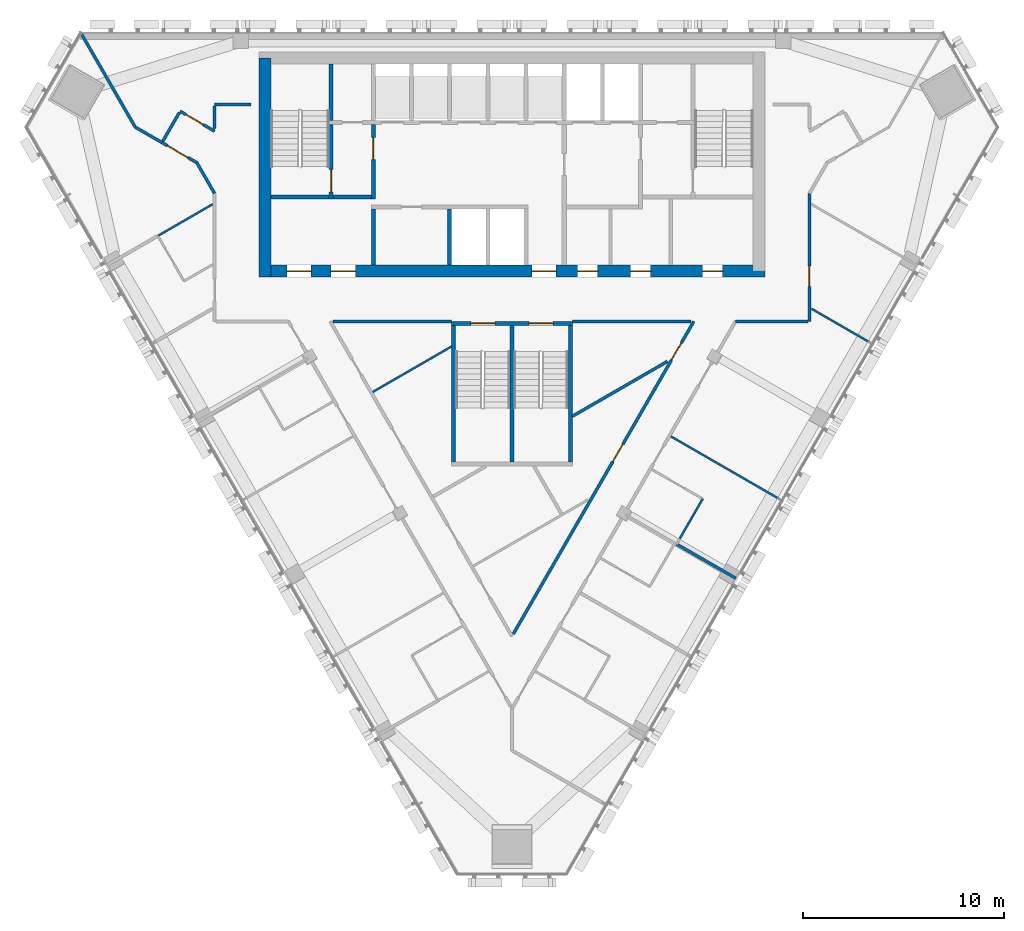
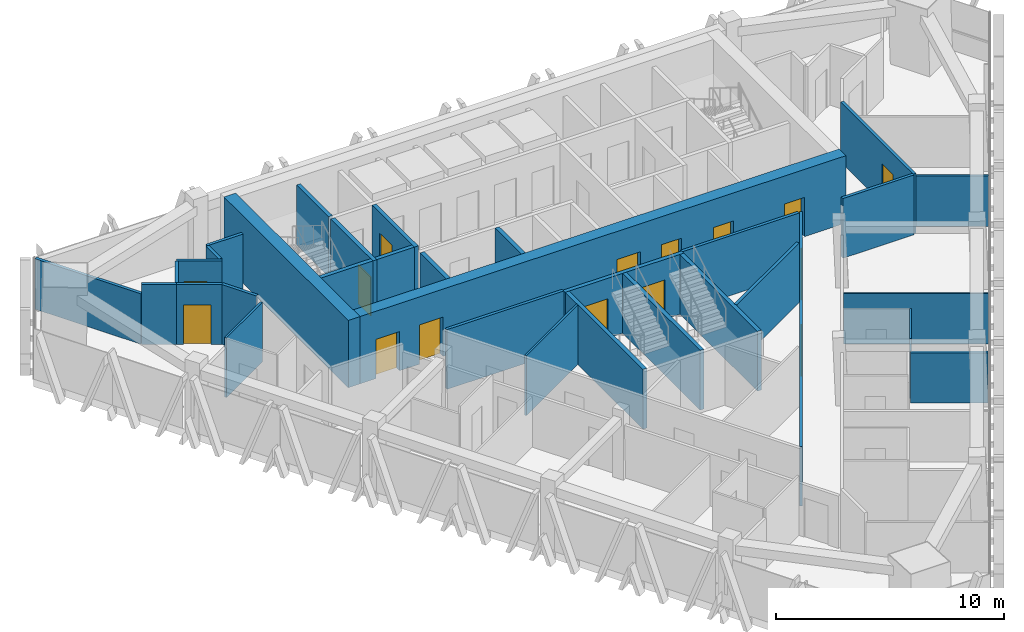
# One storey, part 9 of 14: 33 walls, 15 doors, 15 openings.
"""IFC4 building model written with IfcOpenShell, lengths in metres."""

from ifc_helpers import new_model, si_unit, direction, frame, frame_2d, origin, place, context, subcontext, project, spatial, rectangle, extrude, material, layer, layer_set, type_object, element, fill, save


model = new_model("IFC4")

# Units and contexts
model_context = context("Model", 3, precision=1e-05, world=origin(), true_north=direction((0.0, 1.0)))
body_context = subcontext(model_context, "Body", "Model", "MODEL_VIEW")
ifc_project = project(units=[si_unit("LENGTHUNIT", "METRE"), si_unit("AREAUNIT", "SQUARE_METRE"), si_unit("VOLUMEUNIT", "CUBIC_METRE"), si_unit("PLANEANGLEUNIT", "RADIAN"), si_unit("MASSUNIT", "GRAM", prefix="KILO")], contexts=[model_context])

# Site, building, storey
site_placement = place(None, origin())
site = spatial("IfcSite", under=ifc_project, at=site_placement, CompositionType="ELEMENT")
building_placement = place(site_placement, origin())
building = spatial("IfcBuilding", under=site, at=building_placement, Name="Altiplano Prism Tower", CompositionType="ELEMENT")
storey_placement = place(building_placement, frame((0.0, 0.0, 239.199951171875)))
storey = spatial("IfcBuildingStorey", under=building, at=storey_placement, Name="L61", CompositionType="ELEMENT", Elevation=239.199951171875)

# Wall, openings, doors
ifc_material_1 = material(Name="Concrete C60/75", Category="concrete")
ifc_layer_1 = layer(ifc_material_1, 0.60009765625)
ifc_layer_set_1 = layer_set([ifc_layer_1], Name="Concrete C60/75")
wall_type_1 = type_object("IfcWallType", Name="Core wall 600", PredefinedType="SHEAR", material=ifc_layer_set_1)
wall_1_placement = place(storey_placement, frame((72.699951171875, 93.10009765625, 0.0), z_axis=(0.0, 0.0, 1.0), x_axis=(1.0, 0.0, 0.0)))
wall_1 = element("IfcWall", 1, at=wall_1_placement, inside=storey, type_object=wall_type_1, Name="Core wall S L61", PredefinedType="SHEAR", context=body_context, shape_type="SweptSolid", body=[
    extrude(rectangle(XDim=24.900146484375, YDim=0.60009765625, at=frame_2d((12.4501953125, 0.0))), origin(), (0.0, 0.0, 1.0), 3.60009765625),
])
opening_1_placement = place(wall_1_placement, frame((1.10009765625, 0.0, 0.0)))
opening_1 = element("IfcOpeningElement", 2, at=opening_1_placement, cuts=wall_1, Name="Opening D3433", PredefinedType="OPENING", context=body_context, shape_type="SweptSolid", body=[
    extrude(rectangle(XDim=1.199951171875, YDim=2.10009765625, at=frame_2d((0.60009765625, 1.050048828125))), frame((0.0, 0.310546875, 0.0), z_axis=(0.0, -1.0, 0.0), x_axis=(1.0, 0.0, 0.0)), (0.0, 0.0, 1.0), 0.62109375),
])
opening_2_placement = place(wall_1_placement, frame((3.300048828125, 0.0, 0.0)))
opening_2 = element("IfcOpeningElement", 3, at=opening_2_placement, cuts=wall_1, Name="Opening D3434", PredefinedType="OPENING", context=body_context, shape_type="SweptSolid", body=[
    extrude(rectangle(XDim=1.199951171875, YDim=2.10009765625, at=frame_2d((0.60009765625, 1.050048828125))), frame((0.0, 0.310546875, 0.0), z_axis=(0.0, -1.0, 0.0), x_axis=(1.0, 0.0, 0.0)), (0.0, 0.0, 1.0), 0.62109375),
])
opening_3_placement = place(wall_1_placement, frame((13.300048828125, 0.0, 0.0)))
opening_3 = element("IfcOpeningElement", 4, at=opening_3_placement, cuts=wall_1, Name="Opening D3435", PredefinedType="OPENING", context=body_context, shape_type="SweptSolid", body=[
    extrude(rectangle(XDim=1.199951171875, YDim=2.10009765625, at=frame_2d((0.60009765625, 1.050048828125))), frame((0.0, 0.310546875, 0.0), z_axis=(0.0, -1.0, 0.0), x_axis=(1.0, 0.0, 0.0)), (0.0, 0.0, 1.0), 0.62109375),
])
opening_4_placement = place(wall_1_placement, frame((15.5625, 0.0, 0.0)))
opening_4 = element("IfcOpeningElement", 5, at=opening_4_placement, cuts=wall_1, Name="Opening D3438", PredefinedType="OPENING", context=body_context, shape_type="SweptSolid", body=[
    extrude(rectangle(XDim=1.0, YDim=2.10009765625, at=frame_2d((0.5, 1.050048828125))), frame((0.0, 0.310546875, 0.0), z_axis=(0.0, -1.0, 0.0), x_axis=(1.0, 0.0, 0.0)), (0.0, 0.0, 1.0), 0.62109375),
])
opening_5_placement = place(wall_1_placement, frame((18.199951171875, 0.0, 0.0)))
opening_5 = element("IfcOpeningElement", 6, at=opening_5_placement, cuts=wall_1, Name="Opening D3439", PredefinedType="OPENING", context=body_context, shape_type="SweptSolid", body=[
    extrude(rectangle(XDim=1.0, YDim=2.10009765625, at=frame_2d((0.5, 1.050048828125))), frame((0.0, 0.310546875, 0.0), z_axis=(0.0, -1.0, 0.0), x_axis=(1.0, 0.0, 0.0)), (0.0, 0.0, 1.0), 0.62109375),
])
opening_6_placement = place(wall_1_placement, frame((21.78759765625, 0.0, 0.0)))
opening_6 = element("IfcOpeningElement", 7, at=opening_6_placement, cuts=wall_1, Name="Opening D3440", PredefinedType="OPENING", context=body_context, shape_type="SweptSolid", body=[
    extrude(rectangle(XDim=1.0, YDim=2.10009765625, at=frame_2d((0.5, 1.050048828125))), frame((0.0, 0.310546875, 0.0), z_axis=(0.0, -1.0, 0.0), x_axis=(1.0, 0.0, 0.0)), (0.0, 0.0, 1.0), 0.62109375),
])
ifc_material_2 = material(Name="Fire-rated steel door", Category="steel")
door_type_1 = type_object("IfcDoorType", Name="Core room door 1000 x 2100", OperationType="NOTDEFINED", PredefinedType="NOTDEFINED", material=ifc_material_2)
door_1_placement = place(opening_4_placement, origin())
door_1 = element("IfcDoor", 8, at=door_1_placement, inside=storey, type_object=door_type_1, Name="Core room door D3438", OperationType="SINGLE_SWING_RIGHT", OverallHeight=2.10009765625, OverallWidth=1.0, PredefinedType="NOTDEFINED", context=body_context, shape_type="SweptSolid", body=[
    extrude(rectangle(XDim=1.0, YDim=2.10009765625, at=frame_2d((0.5, 1.050048828125))), frame((0.0, 0.02490234375, 0.0), z_axis=(0.0, -1.0, 0.0), x_axis=(1.0, 0.0, 0.0)), (0.0, 0.0, 1.0), 0.050048828125),
])
fill(opening_4, door_1)
door_2_placement = place(opening_5_placement, origin())
door_2 = element("IfcDoor", 9, at=door_2_placement, inside=storey, type_object=door_type_1, Name="Core room door D3439", OperationType="SINGLE_SWING_LEFT", OverallHeight=2.10009765625, OverallWidth=1.0, PredefinedType="NOTDEFINED", context=body_context, shape_type="SweptSolid", body=[
    extrude(rectangle(XDim=1.0, YDim=2.10009765625, at=frame_2d((0.5, 1.050048828125))), frame((0.0, 0.02490234375, 0.0), z_axis=(0.0, -1.0, 0.0), x_axis=(1.0, 0.0, 0.0)), (0.0, 0.0, 1.0), 0.050048828125),
])
fill(opening_5, door_2)
door_3_placement = place(opening_6_placement, origin())
door_3 = element("IfcDoor", 10, at=door_3_placement, inside=storey, type_object=door_type_1, Name="Core room door D3440", OperationType="SINGLE_SWING_RIGHT", OverallHeight=2.10009765625, OverallWidth=1.0, PredefinedType="NOTDEFINED", context=body_context, shape_type="SweptSolid", body=[
    extrude(rectangle(XDim=1.0, YDim=2.10009765625, at=frame_2d((0.5, 1.050048828125))), frame((0.0, 0.02490234375, 0.0), z_axis=(0.0, -1.0, 0.0), x_axis=(1.0, 0.0, 0.0)), (0.0, 0.0, 1.0), 0.050048828125),
])
fill(opening_6, door_3)
door_type_2 = type_object("IfcDoorType", Name="Lobby fire door 1200 x 2100", OperationType="NOTDEFINED", PredefinedType="NOTDEFINED", material=ifc_material_2)
door_4_placement = place(opening_1_placement, origin())
door_4 = element("IfcDoor", 11, at=door_4_placement, inside=storey, type_object=door_type_2, Name="Lobby fire door D3433", OperationType="SINGLE_SWING_RIGHT", OverallHeight=2.10009765625, OverallWidth=1.199951171875, PredefinedType="NOTDEFINED", context=body_context, shape_type="SweptSolid", body=[
    extrude(rectangle(XDim=1.199951171875, YDim=2.10009765625, at=frame_2d((0.60009765625, 1.050048828125))), frame((0.0, 0.02490234375, 0.0), z_axis=(0.0, -1.0, 0.0), x_axis=(1.0, 0.0, 0.0)), (0.0, 0.0, 1.0), 0.050048828125),
])
fill(opening_1, door_4)
door_5_placement = place(opening_2_placement, origin())
door_5 = element("IfcDoor", 12, at=door_5_placement, inside=storey, type_object=door_type_2, Name="Lobby fire door D3434", OperationType="SINGLE_SWING_LEFT", OverallHeight=2.10009765625, OverallWidth=1.199951171875, PredefinedType="NOTDEFINED", context=body_context, shape_type="SweptSolid", body=[
    extrude(rectangle(XDim=1.199951171875, YDim=2.10009765625, at=frame_2d((0.60009765625, 1.050048828125))), frame((0.0, 0.02490234375, 0.0), z_axis=(0.0, -1.0, 0.0), x_axis=(1.0, 0.0, 0.0)), (0.0, 0.0, 1.0), 0.050048828125),
])
fill(opening_2, door_5)
door_6_placement = place(opening_3_placement, origin())
door_6 = element("IfcDoor", 13, at=door_6_placement, inside=storey, type_object=door_type_2, Name="Lobby fire door D3435", OperationType="SINGLE_SWING_RIGHT", OverallHeight=2.10009765625, OverallWidth=1.199951171875, PredefinedType="NOTDEFINED", context=body_context, shape_type="SweptSolid", body=[
    extrude(rectangle(XDim=1.199951171875, YDim=2.10009765625, at=frame_2d((0.60009765625, 1.050048828125))), frame((0.0, 0.02490234375, 0.0), z_axis=(0.0, -1.0, 0.0), x_axis=(1.0, 0.0, 0.0)), (0.0, 0.0, 1.0), 0.050048828125),
])
fill(opening_3, door_6)

# Walls
wall_2_placement = place(storey_placement, frame((72.699951171875, 103.699951171875, 0.0), z_axis=(0.0, 0.0, 1.0), x_axis=(0.0, -1.0, 0.0)))
element("IfcWall", 14, at=wall_2_placement, inside=storey, type_object=wall_type_1, Name="Core wall W L61", PredefinedType="SHEAR", context=body_context, shape_type="SweptSolid", body=[
    extrude(rectangle(XDim=10.89990234375, YDim=0.60009765625, at=frame_2d((5.449951171875, 0.0))), origin(), (0.0, 0.0, 1.0), 3.60009765625),
])
ifc_material_3 = material(Name="Plasterboard on steel stud", Category="steel")
ifc_layer_2 = layer(ifc_material_3, 0.10009765625)
ifc_layer_set_2 = layer_set([ifc_layer_2], Name="Plasterboard on steel stud")
wall_type_2 = type_object("IfcWallType", Name="Partition 100 unit", PredefinedType="PARTITIONING", material=ifc_layer_set_2)
wall_3_placement = place(storey_placement, frame((94.490478515625, 81.77099609375, 0.0), z_axis=(0.0, 0.0, 1.0), x_axis=(-0.499998129301, -0.86602648383, 0.0)))
element("IfcWall", 15, at=wall_3_placement, inside=storey, type_object=wall_type_2, Name="Partition P02 L61 056", PredefinedType="PARTITIONING", context=body_context, shape_type="SweptSolid", body=[
    extrude(rectangle(XDim=2.2998046875, YDim=0.10009765625, at=frame_2d((1.14990234375, 0.0))), origin(), (0.0, 0.0, 1.0), 3.199951171875),
])
ifc_layer_3 = layer(ifc_material_3, 0.10009765625)
ifc_layer_set_3 = layer_set([ifc_layer_3], Name="Plasterboard on steel stud")
wall_type_3 = type_object("IfcWallType", Name="Partition 100 wet", PredefinedType="PARTITIONING", material=ifc_layer_set_3)
wall_4_placement = place(storey_placement, frame((78.068603515625, 87.088623046875, 0.0), z_axis=(0.0, 0.0, 1.0), x_axis=(0.866027066162, 0.499997120667, 0.0)))
element("IfcWall", 16, at=wall_4_placement, inside=storey, type_object=wall_type_3, Name="Partition P03 L61 023", PredefinedType="PARTITIONING", context=body_context, shape_type="SweptSolid", body=[
    extrude(rectangle(XDim=4.53955078125, YDim=0.10009765625, at=frame_2d((2.269775390625, 0.0))), origin(), (0.0, 0.0, 1.0), 3.199951171875),
])
wall_5_placement = place(storey_placement, frame((67.37646484375, 94.85791015625, 0.0), z_axis=(0.0, 0.0, 1.0), x_axis=(0.866056314953, 0.499946456463, 0.0)))
element("IfcWall", 17, at=wall_5_placement, inside=storey, type_object=wall_type_3, Name="Partition P03 L61 028", PredefinedType="PARTITIONING", context=body_context, shape_type="SweptSolid", body=[
    extrude(rectangle(XDim=3.144775390625, YDim=0.10009765625, at=frame_2d((1.572265625, 0.0))), origin(), (0.0, 0.0, 1.0), 3.199951171875),
])
wall_6_placement = place(storey_placement, frame((98.402587890625, 81.706298828125, 0.0), z_axis=(0.0, 0.0, 1.0), x_axis=(-0.866025401434, 0.500000004071, 0.0)))
element("IfcWall", 18, at=wall_6_placement, inside=storey, type_object=wall_type_3, Name="Partition P03 L61 058", PredefinedType="PARTITIONING", context=body_context, shape_type="SweptSolid", body=[
    extrude(rectangle(XDim=6.34521484375, YDim=0.10009765625, at=frame_2d((3.172607421875, 0.0))), origin(), (0.0, 0.0, 1.0), 2.699951171875),
])
wall_7_placement = place(storey_placement, frame((102.902587890625, 89.500732421875, 0.0), z_axis=(0.0, 0.0, 1.0), x_axis=(-0.866050739643, 0.499956114438, 0.0)))
element("IfcWall", 19, at=wall_7_placement, inside=storey, type_object=wall_type_3, Name="Partition P03 L61 059", PredefinedType="PARTITIONING", context=body_context, shape_type="SweptSolid", body=[
    extrude(rectangle(XDim=3.467041015625, YDim=0.10009765625, at=frame_2d((1.7333984375, 0.0))), origin(), (0.0, 0.0, 1.0), 2.699951171875),
])
ifc_layer_4 = layer(ifc_material_3, 0.14990234375)
ifc_layer_set_4 = layer_set([ifc_layer_4], Name="Plasterboard on steel stud")
wall_type_4 = type_object("IfcWallType", Name="Partition 150 corridor", PredefinedType="PARTITIONING", material=ifc_layer_set_4)
wall_8_placement = place(storey_placement, frame((76.084716796875, 90.60009765625, 0.0), z_axis=(0.0, 0.0, 1.0), x_axis=(0.999999986372, -0.000165091417, 0.0)))
element("IfcWall", 20, at=wall_8_placement, inside=storey, type_object=wall_type_4, Name="Partition P06 L61 001", PredefinedType="PARTITIONING", context=body_context, shape_type="SweptSolid", body=[
    extrude(rectangle(XDim=5.915283203125, YDim=0.14990234375, at=frame_2d((2.95751953125, 0.0))), origin(), (0.0, 0.0, 1.0), 3.199951171875),
])

# Wall, openings, doors
wall_9_placement = place(storey_placement, frame((94.04541015625, 90.60009765625, 0.0), z_axis=(0.0, 0.0, 1.0), x_axis=(-0.500004455092, -0.866022831621, 0.0)))
wall_9 = element("IfcWall", 21, at=wall_9_placement, inside=storey, type_object=wall_type_4, Name="Partition P06 L61 002", PredefinedType="PARTITIONING", context=body_context, shape_type="SweptSolid", body=[
    extrude(rectangle(XDim=17.960693359375, YDim=0.14990234375, at=frame_2d((8.98046875, 0.0))), origin(), (0.0, 0.0, 1.0), 3.199951171875),
])
opening_7_placement = place(wall_9_placement, frame((7.048095703125, 0.0, 0.0)))
opening_7 = element("IfcOpeningElement", 22, at=opening_7_placement, cuts=wall_9, Name="Opening D1993", PredefinedType="OPENING", context=body_context, shape_type="SweptSolid", body=[
    extrude(rectangle(XDim=1.0, YDim=2.10009765625, at=frame_2d((0.5, 1.050048828125))), frame((0.0, 0.08544921875, 0.0), z_axis=(0.0, -1.0, 0.0), x_axis=(1.0, 0.0, 0.0)), (0.0, 0.0, 1.0), 0.1708984375),
])
opening_8_placement = place(wall_9_placement, frame((1.22705078125, 0.0, 0.0)))
opening_8 = element("IfcOpeningElement", 23, at=opening_8_placement, cuts=wall_9, Name="Opening D1994", PredefinedType="OPENING", context=body_context, shape_type="SweptSolid", body=[
    extrude(rectangle(XDim=1.0, YDim=2.10009765625, at=frame_2d((0.5, 1.050048828125))), frame((0.0, 0.08544921875, 0.0), z_axis=(0.0, -1.0, 0.0), x_axis=(1.0, 0.0, 0.0)), (0.0, 0.0, 1.0), 0.1708984375),
])
ifc_material_4 = material(Name="Timber", Category="wood")
door_type_3 = type_object("IfcDoorType", Name="Room door 1000 x 2100", OperationType="NOTDEFINED", PredefinedType="NOTDEFINED", material=ifc_material_4)
door_7_placement = place(opening_8_placement, origin())
door_7 = element("IfcDoor", 24, at=door_7_placement, inside=storey, type_object=door_type_3, Name="Door D1994", OperationType="SINGLE_SWING_RIGHT", OverallHeight=2.10009765625, OverallWidth=1.0, PredefinedType="NOTDEFINED", context=body_context, shape_type="SweptSolid", body=[
    extrude(rectangle(XDim=1.0, YDim=2.10009765625, at=frame_2d((0.5, 1.050048828125))), frame((0.0, 0.02490234375, 0.0), z_axis=(0.0, -1.0, 0.0), x_axis=(1.0, 0.0, 0.0)), (0.0, 0.0, 1.0), 0.050048828125),
])
fill(opening_8, door_7)
door_type_4 = type_object("IfcDoorType", Name="Store door 1000 x 2100", OperationType="NOTDEFINED", PredefinedType="NOTDEFINED", material=ifc_material_4)
door_8_placement = place(opening_7_placement, origin())
door_8 = element("IfcDoor", 25, at=door_8_placement, inside=storey, type_object=door_type_4, Name="Door D1993", OperationType="SINGLE_SWING_LEFT", OverallHeight=2.10009765625, OverallWidth=1.0, PredefinedType="NOTDEFINED", context=body_context, shape_type="SweptSolid", body=[
    extrude(rectangle(XDim=1.0, YDim=2.10009765625, at=frame_2d((0.5, 1.050048828125))), frame((0.0, 0.02490234375, 0.0), z_axis=(0.0, -1.0, 0.0), x_axis=(1.0, 0.0, 0.0)), (0.0, 0.0, 1.0), 0.050048828125),
])
fill(opening_7, door_8)

# Wall
wall_10_placement = place(storey_placement, frame((88.0, 90.59912109375, 0.0), z_axis=(0.0, 0.0, 1.0), x_axis=(0.999999986372, 0.000165091417, 0.0)))
element("IfcWall", 26, at=wall_10_placement, inside=storey, type_object=wall_type_4, Name="Partition P06 L61 004", PredefinedType="PARTITIONING", context=body_context, shape_type="SweptSolid", body=[
    extrude(rectangle(XDim=5.915283203125, YDim=0.14990234375, at=frame_2d((2.95751953125, 0.0))), origin(), (0.0, 0.0, 1.0), 3.199951171875),
])

# Wall, opening, door
wall_11_placement = place(storey_placement, frame((67.565673828125, 99.510009765625, 0.0), z_axis=(0.0, 0.0, 1.0), x_axis=(0.866040685659, -0.499973530083, 0.0)))
wall_11 = element("IfcWall", 27, at=wall_11_placement, inside=storey, type_object=wall_type_4, Name="Partition P06 L61 005", PredefinedType="PARTITIONING", context=body_context, shape_type="SweptSolid", body=[
    extrude(rectangle(XDim=2.02001953125, YDim=0.14990234375, at=frame_2d((1.010009765625, 0.0))), origin(), (0.0, 0.0, 1.0), 3.199951171875),
])
opening_9_placement = place(wall_11_placement, frame((0.323974609375, 0.0, 0.0)))
opening_9 = element("IfcOpeningElement", 28, at=opening_9_placement, cuts=wall_11, Name="Opening D1995", PredefinedType="OPENING", context=body_context, shape_type="SweptSolid", body=[
    extrude(rectangle(XDim=1.199951171875, YDim=2.10009765625, at=frame_2d((0.60009765625, 1.050048828125))), frame((0.0, 0.08544921875, 0.0), z_axis=(0.0, -1.0, 0.0), x_axis=(1.0, 0.0, 0.0)), (0.0, 0.0, 1.0), 0.1708984375),
])
door_type_5 = type_object("IfcDoorType", Name="Shared room door 1200 x 2100", OperationType="NOTDEFINED", PredefinedType="NOTDEFINED", material=ifc_material_4)
door_9_placement = place(opening_9_placement, origin())
door_9 = element("IfcDoor", 29, at=door_9_placement, inside=storey, type_object=door_type_5, Name="Door D1995", OperationType="SINGLE_SWING_RIGHT", OverallHeight=2.10009765625, OverallWidth=1.199951171875, PredefinedType="NOTDEFINED", context=body_context, shape_type="SweptSolid", body=[
    extrude(rectangle(XDim=1.199951171875, YDim=2.10009765625, at=frame_2d((0.60009765625, 1.050048828125))), frame((0.0, 0.02490234375, 0.0), z_axis=(0.0, -1.0, 0.0), x_axis=(1.0, 0.0, 0.0)), (0.0, 0.0, 1.0), 0.050048828125),
])
fill(opening_9, door_9)

# Walls
wall_12_placement = place(storey_placement, frame((69.315185546875, 98.5, 0.0), z_axis=(0.0, 0.0, 1.0), x_axis=(0.499937404092, -0.866061540533, 0.0)))
element("IfcWall", 30, at=wall_12_placement, inside=storey, type_object=wall_type_4, Name="Partition P06 L61 006", PredefinedType="PARTITIONING", context=body_context, shape_type="SweptSolid", body=[
    extrude(rectangle(XDim=1.769775390625, YDim=0.14990234375, at=frame_2d((0.884765625, 0.0))), origin(), (0.0, 0.0, 1.0), 3.199951171875),
])
wall_13_placement = place(storey_placement, frame((96.123779296875, 90.60009765625, 0.0), z_axis=(0.0, 0.0, 1.0), x_axis=(1.0, 0.0, 0.0)))
element("IfcWall", 31, at=wall_13_placement, inside=storey, type_object=wall_type_4, Name="Partition P06 L61 011", PredefinedType="PARTITIONING", context=body_context, shape_type="SweptSolid", body=[
    extrude(rectangle(XDim=3.601318359375, YDim=0.14990234375, at=frame_2d((1.80078125, 0.0))), origin(), (0.0, 0.0, 1.0), 3.199951171875),
])

# Wall, opening, door
wall_14_placement = place(storey_placement, frame((99.800048828125, 90.60009765625, 0.0), z_axis=(0.0, 0.0, 1.0), x_axis=(0.0, 1.0, 0.0)))
wall_14 = element("IfcWall", 32, at=wall_14_placement, inside=storey, type_object=wall_type_4, Name="Partition P06 L61 012", PredefinedType="PARTITIONING", context=body_context, shape_type="SweptSolid", body=[
    extrude(rectangle(XDim=6.3671875, YDim=0.14990234375, at=frame_2d((3.18359375, 0.0))), origin(), (0.0, 0.0, 1.0), 3.199951171875),
])
opening_10_placement = place(wall_14_placement, frame((1.748046875, 0.0, 0.0)))
opening_10 = element("IfcOpeningElement", 33, at=opening_10_placement, cuts=wall_14, Name="Opening D2013", PredefinedType="OPENING", context=body_context, shape_type="SweptSolid", body=[
    extrude(rectangle(XDim=1.0, YDim=2.10009765625, at=frame_2d((0.5, 1.050048828125))), frame((0.0, 0.08544921875, 0.0), z_axis=(0.0, -1.0, 0.0), x_axis=(1.0, 0.0, 0.0)), (0.0, 0.0, 1.0), 0.1708984375),
])
door_10_placement = place(opening_10_placement, origin())
door_10 = element("IfcDoor", 34, at=door_10_placement, inside=storey, type_object=door_type_3, Name="Door D2013", OperationType="SINGLE_SWING_RIGHT", OverallHeight=2.10009765625, OverallWidth=1.0, PredefinedType="NOTDEFINED", context=body_context, shape_type="SweptSolid", body=[
    extrude(rectangle(XDim=1.0, YDim=2.10009765625, at=frame_2d((0.5, 1.050048828125))), frame((0.0, 0.02490234375, 0.0), z_axis=(0.0, -1.0, 0.0), x_axis=(1.0, 0.0, 0.0)), (0.0, 0.0, 1.0), 0.050048828125),
])
fill(opening_10, door_10)

# Walls
wall_15_placement = place(storey_placement, frame((72.0, 101.39990234375, 0.0), z_axis=(0.0, 0.0, 1.0), x_axis=(-1.0, 0.0, 0.0)))
element("IfcWall", 35, at=wall_15_placement, inside=storey, type_object=wall_type_4, Name="Partition P06 L61 015", PredefinedType="PARTITIONING", context=body_context, shape_type="SweptSolid", body=[
    extrude(rectangle(XDim=1.800048828125, YDim=0.14990234375, at=frame_2d((0.89990234375, 0.0))), origin(), (0.0, 0.0, 1.0), 3.199951171875),
])
wall_16_placement = place(storey_placement, frame((70.199951171875, 101.324951171875, 0.0), z_axis=(0.0, 0.0, 1.0), x_axis=(0.0, -1.0, 0.0)))
element("IfcWall", 36, at=wall_16_placement, inside=storey, type_object=wall_type_4, Name="Partition P06 L61 016", PredefinedType="PARTITIONING", context=body_context, shape_type="SweptSolid", body=[
    extrude(rectangle(XDim=1.12744140625, YDim=0.14990234375, at=frame_2d((0.563720703125, 0.0))), origin(), (0.0, 0.0, 1.0), 3.199951171875),
])

# Wall, opening, door
wall_17_placement = place(storey_placement, frame((70.199951171875, 100.067626953125, 0.0), z_axis=(0.0, 0.0, 1.0), x_axis=(-0.866021515814, 0.500006734102, 0.0)))
wall_17 = element("IfcWall", 37, at=wall_17_placement, inside=storey, type_object=wall_type_4, Name="Partition P06 L61 017", PredefinedType="PARTITIONING", context=body_context, shape_type="SweptSolid", body=[
    extrude(rectangle(XDim=1.982421875, YDim=0.14990234375, at=frame_2d((0.9912109375, 0.0))), origin(), (0.0, 0.0, 1.0), 3.199951171875),
])
opening_11_placement = place(wall_17_placement, frame((0.653076171875, 0.0, 0.0)))
opening_11 = element("IfcOpeningElement", 38, at=opening_11_placement, cuts=wall_17, Name="Opening D2015", PredefinedType="OPENING", context=body_context, shape_type="SweptSolid", body=[
    extrude(rectangle(XDim=1.0, YDim=2.10009765625, at=frame_2d((0.5, 1.050048828125))), frame((0.0, 0.08544921875, 0.0), z_axis=(0.0, -1.0, 0.0), x_axis=(1.0, 0.0, 0.0)), (0.0, 0.0, 1.0), 0.1708984375),
])
door_11_placement = place(opening_11_placement, origin())
door_11 = element("IfcDoor", 39, at=door_11_placement, inside=storey, type_object=door_type_3, Name="Door D2015", OperationType="SINGLE_SWING_LEFT", OverallHeight=2.10009765625, OverallWidth=1.0, PredefinedType="NOTDEFINED", context=body_context, shape_type="SweptSolid", body=[
    extrude(rectangle(XDim=1.0, YDim=2.10009765625, at=frame_2d((0.5, 1.050048828125))), frame((0.0, 0.02490234375, 0.0), z_axis=(0.0, -1.0, 0.0), x_axis=(1.0, 0.0, 0.0)), (0.0, 0.0, 1.0), 0.050048828125),
])
fill(opening_11, door_11)

# Walls
wall_18_placement = place(storey_placement, frame((68.445556640625, 100.993896484375, 0.0), z_axis=(0.0, 0.0, 1.0), x_axis=(-0.499974350878, -0.866040211805, 0.0)))
element("IfcWall", 40, at=wall_18_placement, inside=storey, type_object=wall_type_4, Name="Partition P06 L61 018", PredefinedType="PARTITIONING", context=body_context, shape_type="SweptSolid", body=[
    extrude(rectangle(XDim=1.64990234375, YDim=0.14990234375, at=frame_2d((0.824951171875, 0.0))), origin(), (0.0, 0.0, 1.0), 3.199951171875),
])
ifc_layer_5 = layer(ifc_material_3, 0.14990234375)
ifc_layer_set_5 = layer_set([ifc_layer_5], Name="Plasterboard on steel stud")
wall_type_5 = type_object("IfcWallType", Name="Partition 150 party", PredefinedType="PARTITIONING", material=ifc_layer_set_5)
wall_19_placement = place(storey_placement, frame((92.73486328125, 88.6103515625, 0.0), z_axis=(0.0, 0.0, 1.0), x_axis=(-0.866008603077, -0.500029098549, 0.0)))
element("IfcWall", 41, at=wall_19_placement, inside=storey, type_object=wall_type_5, Name="Partition P01 L61 025", PredefinedType="PARTITIONING", context=body_context, shape_type="SweptSolid", body=[
    extrude(rectangle(XDim=5.467529296875, YDim=0.14990234375, at=frame_2d((2.73388671875, 0.0))), origin(), (0.0, 0.0, 1.0), 3.199951171875),
])
wall_20_placement = place(storey_placement, frame((67.5830078125, 99.5, 0.0), z_axis=(0.0, 0.0, 1.0), x_axis=(-0.866016353143, 0.500015675843, 0.0)))
element("IfcWall", 42, at=wall_20_placement, inside=storey, type_object=wall_type_5, Name="Partition P01 L61 029", PredefinedType="PARTITIONING", context=body_context, shape_type="SweptSolid", body=[
    extrude(rectangle(XDim=1.53759765625, YDim=0.14990234375, at=frame_2d((0.768798828125, 0.0))), origin(), (0.0, 0.0, 1.0), 3.199951171875),
])
wall_21_placement = place(storey_placement, frame((66.25146484375, 100.268798828125, 0.0), z_axis=(0.0, 0.0, 1.0), x_axis=(-0.500008311739, 0.866020604947, 0.0)))
element("IfcWall", 43, at=wall_21_placement, inside=storey, type_object=wall_type_5, Name="Partition P01 L61 030", PredefinedType="PARTITIONING", context=body_context, shape_type="SweptSolid", body=[
    extrude(rectangle(XDim=5.34765625, YDim=0.14990234375, at=frame_2d((2.673828125, 0.0))), origin(), (0.0, 0.0, 1.0), 2.699951171875),
])
wall_22_placement = place(storey_placement, frame((96.135009765625, 77.8193359375, 0.0), z_axis=(0.0, 0.0, 1.0), x_axis=(-0.866038511948, 0.499977295307, 0.0)))
element("IfcWall", 44, at=wall_22_placement, inside=storey, type_object=wall_type_5, Name="Partition P01 L61 053", PredefinedType="PARTITIONING", context=body_context, shape_type="SweptSolid", body=[
    extrude(rectangle(XDim=3.400146484375, YDim=0.14990234375, at=frame_2d((1.7001953125, 0.0))), origin(), (0.0, 0.0, 1.0), 2.699951171875),
])
ifc_layer_6 = layer(ifc_material_1, 0.199951171875)
ifc_layer_set_6 = layer_set([ifc_layer_6], Name="Concrete C60/75")
wall_type_6 = type_object("IfcWallType", Name="Shaft wall 200", PredefinedType="SOLIDWALL", material=ifc_layer_set_6)
wall_23_placement = place(storey_placement, frame((81.89990234375, 93.39990234375, 0.0), z_axis=(0.0, 0.0, 1.0), x_axis=(0.0, 1.0, 0.0)))
element("IfcWall", 45, at=wall_23_placement, inside=storey, type_object=wall_type_6, Name="Shaft wall L61", PredefinedType="SOLIDWALL", context=body_context, shape_type="SweptSolid", body=[
    extrude(rectangle(XDim=2.800048828125, YDim=0.199951171875, at=frame_2d((1.39990234375, 0.0))), origin(), (0.0, 0.0, 1.0), 3.199951171875),
])
ifc_layer_7 = layer(ifc_material_1, 0.199951171875)
ifc_layer_set_7 = layer_set([ifc_layer_7], Name="Concrete C60/75")
wall_type_7 = type_object("IfcWallType", Name="Stair wall 200", PredefinedType="SOLIDWALL", material=ifc_layer_set_7)
wall_24_placement = place(storey_placement, frame((73.0, 96.800048828125, 0.0), z_axis=(0.0, 0.0, 1.0), x_axis=(1.0, 0.0, 0.0)))
element("IfcWall", 46, at=wall_24_placement, inside=storey, type_object=wall_type_7, Name="Stair wall L61", PredefinedType="SOLIDWALL", context=body_context, shape_type="SweptSolid", body=[
    extrude(rectangle(XDim=2.89990234375, YDim=0.199951171875, at=frame_2d((1.449951171875, 0.0))), origin(), (0.0, 0.0, 1.0), 3.199951171875),
])

# Wall, opening, door
wall_25_placement = place(storey_placement, frame((76.0, 96.699951171875, 0.0), z_axis=(0.0, 0.0, 1.0), x_axis=(0.0, 1.0, 0.0)))
wall_25 = element("IfcWall", 47, at=wall_25_placement, inside=storey, type_object=wall_type_7, Name="Stair wall L61", PredefinedType="SOLIDWALL", context=body_context, shape_type="SweptSolid", body=[
    extrude(rectangle(XDim=3.699951171875, YDim=0.199951171875, at=frame_2d((1.85009765625, 0.0))), origin(), (0.0, 0.0, 1.0), 3.199951171875),
])
opening_12_placement = place(wall_25_placement, frame((0.35009765625, 0.0, 0.0)))
opening_12 = element("IfcOpeningElement", 48, at=opening_12_placement, cuts=wall_25, Name="Opening D3428", PredefinedType="OPENING", context=body_context, shape_type="SweptSolid", body=[
    extrude(rectangle(XDim=1.10009765625, YDim=2.10009765625, at=frame_2d((0.550048828125, 1.050048828125))), frame((0.0, 0.1103515625, 0.0), z_axis=(0.0, -1.0, 0.0), x_axis=(1.0, 0.0, 0.0)), (0.0, 0.0, 1.0), 0.220947265625),
])
door_type_6 = type_object("IfcDoorType", Name="Stair fire door 1100 x 2100", OperationType="NOTDEFINED", PredefinedType="NOTDEFINED", material=ifc_material_2)
door_12_placement = place(opening_12_placement, origin())
door_12 = element("IfcDoor", 49, at=door_12_placement, inside=storey, type_object=door_type_6, Name="Stair fire door D3428", OperationType="SINGLE_SWING_RIGHT", OverallHeight=2.10009765625, OverallWidth=1.10009765625, PredefinedType="NOTDEFINED", context=body_context, shape_type="SweptSolid", body=[
    extrude(rectangle(XDim=1.10009765625, YDim=2.10009765625, at=frame_2d((0.550048828125, 1.050048828125))), frame((0.0, 0.02490234375, 0.0), z_axis=(0.0, -1.0, 0.0), x_axis=(1.0, 0.0, 0.0)), (0.0, 0.0, 1.0), 0.050048828125),
])
fill(opening_12, door_12)

# Wall
wall_26_placement = place(storey_placement, frame((76.0, 100.60009765625, 0.0), z_axis=(0.0, 0.0, 1.0), x_axis=(0.0, 1.0, 0.0)))
element("IfcWall", 50, at=wall_26_placement, inside=storey, type_object=wall_type_7, Name="Stair wall L61", PredefinedType="SOLIDWALL", context=body_context, shape_type="SweptSolid", body=[
    extrude(rectangle(XDim=2.7998046875, YDim=0.199951171875, at=frame_2d((1.39990234375, 0.0))), origin(), (0.0, 0.0, 1.0), 3.199951171875),
])

# Wall, openings, doors
wall_27_placement = place(storey_placement, frame((82.0, 90.5, 0.0), z_axis=(0.0, 0.0, 1.0), x_axis=(1.0, 0.0, 0.0)))
wall_27 = element("IfcWall", 51, at=wall_27_placement, inside=storey, type_object=wall_type_7, Name="Stair 3 wall north L61", PredefinedType="SOLIDWALL", context=body_context, shape_type="SweptSolid", body=[
    extrude(rectangle(XDim=6.0, YDim=0.199951171875, at=frame_2d((3.0, 0.0))), origin(), (0.0, 0.0, 1.0), 3.199951171875),
])
opening_13_placement = place(wall_27_placement, frame((0.949951171875, 0.0, 0.0)))
opening_13 = element("IfcOpeningElement", 52, at=opening_13_placement, cuts=wall_27, Name="Opening D4044", PredefinedType="OPENING", context=body_context, shape_type="SweptSolid", body=[
    extrude(rectangle(XDim=1.199951171875, YDim=2.10009765625, at=frame_2d((0.60009765625, 1.050048828125))), frame((0.0, 0.1103515625, 0.0), z_axis=(0.0, -1.0, 0.0), x_axis=(1.0, 0.0, 0.0)), (0.0, 0.0, 1.0), 0.220947265625),
])
opening_14_placement = place(wall_27_placement, frame((3.85009765625, 0.0, 0.0)))
opening_14 = element("IfcOpeningElement", 53, at=opening_14_placement, cuts=wall_27, Name="Opening D4045", PredefinedType="OPENING", context=body_context, shape_type="SweptSolid", body=[
    extrude(rectangle(XDim=1.199951171875, YDim=2.10009765625, at=frame_2d((0.60009765625, 1.050048828125))), frame((0.0, 0.1103515625, 0.0), z_axis=(0.0, -1.0, 0.0), x_axis=(1.0, 0.0, 0.0)), (0.0, 0.0, 1.0), 0.220947265625),
])
door_type_7 = type_object("IfcDoorType", Name="Stair fire door 1200 x 2100", OperationType="NOTDEFINED", PredefinedType="NOTDEFINED", material=ifc_material_2)
door_13_placement = place(opening_13_placement, origin())
door_13 = element("IfcDoor", 54, at=door_13_placement, inside=storey, type_object=door_type_7, Name="Stair fire door D4044", OperationType="SINGLE_SWING_LEFT", OverallHeight=2.10009765625, OverallWidth=1.199951171875, PredefinedType="NOTDEFINED", context=body_context, shape_type="SweptSolid", body=[
    extrude(rectangle(XDim=1.199951171875, YDim=2.10009765625, at=frame_2d((0.60009765625, 1.050048828125))), frame((0.0, 0.02490234375, 0.0), z_axis=(0.0, -1.0, 0.0), x_axis=(1.0, 0.0, 0.0)), (0.0, 0.0, 1.0), 0.050048828125),
])
fill(opening_13, door_13)
door_14_placement = place(opening_14_placement, origin())
door_14 = element("IfcDoor", 55, at=door_14_placement, inside=storey, type_object=door_type_7, Name="Stair fire door D4045", OperationType="SINGLE_SWING_LEFT", OverallHeight=2.10009765625, OverallWidth=1.199951171875, PredefinedType="NOTDEFINED", context=body_context, shape_type="SweptSolid", body=[
    extrude(rectangle(XDim=1.199951171875, YDim=2.10009765625, at=frame_2d((0.60009765625, 1.050048828125))), frame((0.0, 0.02490234375, 0.0), z_axis=(0.0, -1.0, 0.0), x_axis=(1.0, 0.0, 0.0)), (0.0, 0.0, 1.0), 0.050048828125),
])
fill(opening_14, door_14)

# Walls
for number, where, z_axis, x_axis, name in (
    (56, (82.10009765625, 83.60009765625, 0.0), (0.0, 0.0, 1.0), (0.0, 1.0, 0.0), "Stair 3 wall west L61"),
    (57, (87.89990234375, 83.60009765625, 0.0), (0.0, 0.0, 1.0), (0.0, 1.0, 0.0), "Stair 3 wall east L61"),
    (58, (85.0, 83.60009765625, 0.0), (0.0, 0.0, 1.0), (0.0, 1.0, 0.0), "Stair 3 wall divider L61"),
):
    element("IfcWall", number, at=place(storey_placement, frame(where, z_axis=z_axis, x_axis=x_axis)), inside=storey, type_object=wall_type_7, Name=name, PredefinedType="SOLIDWALL", context=body_context, shape_type="SweptSolid", body=[
        extrude(rectangle(XDim=6.7998046875, YDim=0.199951171875, at=frame_2d((3.39990234375, 0.0))), origin(), (0.0, 0.0, 1.0), 3.199951171875),
    ])
ifc_layer_8 = layer(ifc_material_1, 0.199951171875)
ifc_layer_set_8 = layer_set([ifc_layer_8], Name="Concrete C60/75")
wall_type_8 = type_object("IfcWallType", Name="Vestibule wall 200", PredefinedType="PARTITIONING", material=ifc_layer_set_8)
wall_28_placement = place(storey_placement, frame((78.10009765625, 93.39990234375, 0.0), z_axis=(0.0, 0.0, 1.0), x_axis=(0.0, 1.0, 0.0)))
element("IfcWall", 59, at=wall_28_placement, inside=storey, type_object=wall_type_8, Name="Vestibule wall L61", PredefinedType="PARTITIONING", context=body_context, shape_type="SweptSolid", body=[
    extrude(rectangle(XDim=2.800048828125, YDim=0.199951171875, at=frame_2d((1.39990234375, 0.0))), origin(), (0.0, 0.0, 1.0), 3.199951171875),
])
wall_29_placement = place(storey_placement, frame((76.10009765625, 96.800048828125, 0.0), z_axis=(0.0, 0.0, 1.0), x_axis=(1.0, 0.0, 0.0)))
element("IfcWall", 60, at=wall_29_placement, inside=storey, type_object=wall_type_8, Name="Vestibule wall L61", PredefinedType="PARTITIONING", context=body_context, shape_type="SweptSolid", body=[
    extrude(rectangle(XDim=1.89990234375, YDim=0.199951171875, at=frame_2d((0.949951171875, 0.0))), origin(), (0.0, 0.0, 1.0), 3.199951171875),
])

# Wall, opening, door
wall_30_placement = place(storey_placement, frame((78.10009765625, 96.699951171875, 0.0), z_axis=(0.0, 0.0, 1.0), x_axis=(0.0, 1.0, 0.0)))
wall_30 = element("IfcWall", 61, at=wall_30_placement, inside=storey, type_object=wall_type_8, Name="Vestibule wall L61", PredefinedType="PARTITIONING", context=body_context, shape_type="SweptSolid", body=[
    extrude(rectangle(XDim=3.699951171875, YDim=0.199951171875, at=frame_2d((1.85009765625, 0.0))), origin(), (0.0, 0.0, 1.0), 3.199951171875),
])
opening_15_placement = place(wall_30_placement, frame((1.949951171875, 0.0, 0.0)))
opening_15 = element("IfcOpeningElement", 62, at=opening_15_placement, cuts=wall_30, Name="Opening D3430", PredefinedType="OPENING", context=body_context, shape_type="SweptSolid", body=[
    extrude(rectangle(XDim=1.10009765625, YDim=2.10009765625, at=frame_2d((0.550048828125, 1.050048828125))), frame((0.0, 0.1103515625, 0.0), z_axis=(0.0, -1.0, 0.0), x_axis=(1.0, 0.0, 0.0)), (0.0, 0.0, 1.0), 0.220947265625),
])
door_type_8 = type_object("IfcDoorType", Name="Vestibule fire door 1100 x 2100", OperationType="NOTDEFINED", PredefinedType="NOTDEFINED", material=ifc_material_2)
door_15_placement = place(opening_15_placement, origin())
door_15 = element("IfcDoor", 63, at=door_15_placement, inside=storey, type_object=door_type_8, Name="Vestibule fire door D3430", OperationType="SINGLE_SWING_LEFT", OverallHeight=2.10009765625, OverallWidth=1.10009765625, PredefinedType="NOTDEFINED", context=body_context, shape_type="SweptSolid", body=[
    extrude(rectangle(XDim=1.10009765625, YDim=2.10009765625, at=frame_2d((0.550048828125, 1.050048828125))), frame((0.0, 0.02490234375, 0.0), z_axis=(0.0, -1.0, 0.0), x_axis=(1.0, 0.0, 0.0)), (0.0, 0.0, 1.0), 0.050048828125),
])
fill(opening_15, door_15)

save(model, "model.ifc")
